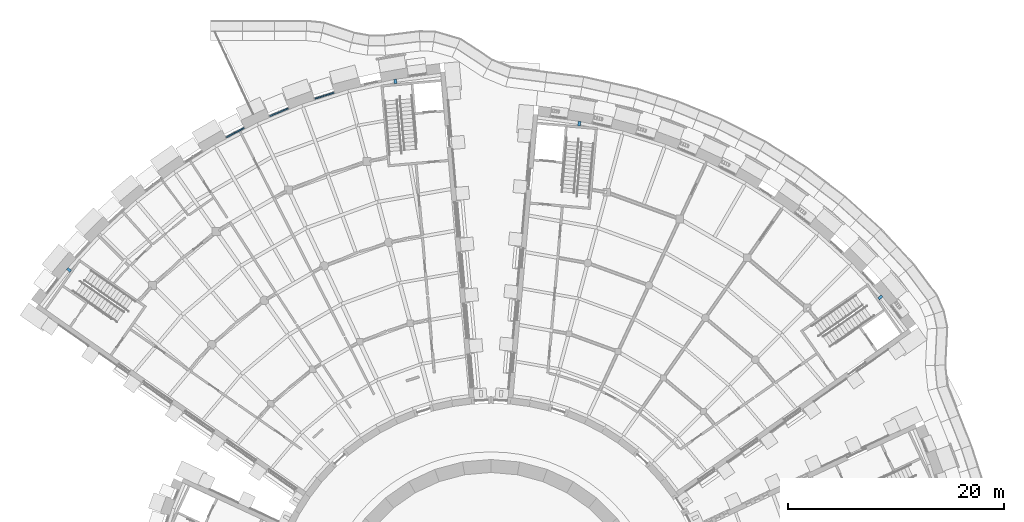
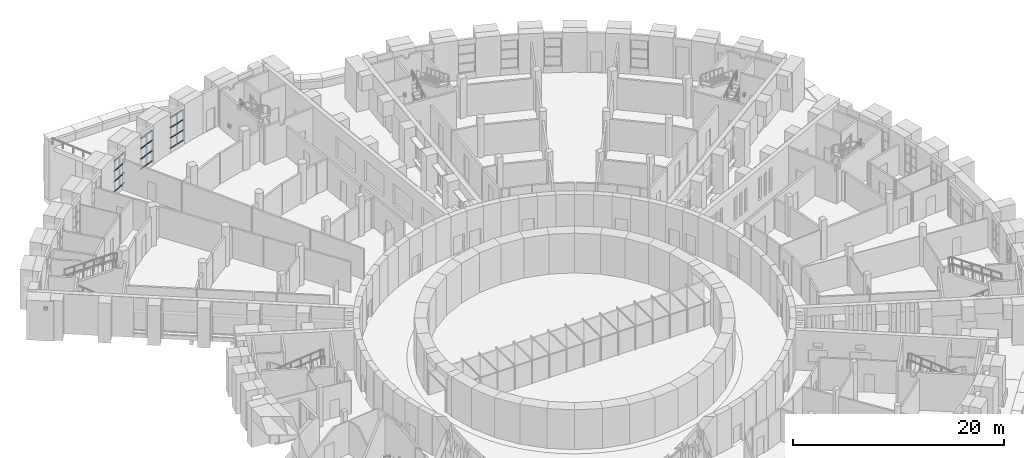
# One storey, part 31 of 85: 24 members, 4 beams, 3 elements without a shape of their own.
"""IFC4 building model written with IfcOpenShell, lengths in metres."""

from ifc_helpers import new_model, si_unit, direction, frame, origin, origin_2d, place, context, subcontext, project, spatial, rectangle, extrude, material, layer, layer_set, material_profile, profile_set, type_object, element, aggregate, save


model = new_model("IFC4")

# Units and contexts
model_context = context("Model", 3, precision=1e-05, world=origin(), true_north=direction((0.0, 1.0)))
body_context = subcontext(model_context, "Body", "Model", "MODEL_VIEW")
ifc_project = project(units=[si_unit("LENGTHUNIT", "METRE"), si_unit("AREAUNIT", "SQUARE_METRE"), si_unit("VOLUMEUNIT", "CUBIC_METRE"), si_unit("PLANEANGLEUNIT", "RADIAN"), si_unit("MASSUNIT", "GRAM", prefix="KILO")], contexts=[model_context])

# Site, building, storey
site_placement = place(None, origin())
site = spatial("IfcSite", under=ifc_project, at=site_placement, CompositionType="ELEMENT")
building_placement = place(site_placement, origin())
building = spatial("IfcBuilding", under=site, at=building_placement, Name="Volute Hill Aquarium", CompositionType="ELEMENT")
storey_placement = place(building_placement, origin())
storey = spatial("IfcBuildingStorey", under=building, at=storey_placement, Name="L01", CompositionType="ELEMENT", Elevation=0.0)

# Curtain wall, members
ifc_material_1 = material(Name="Aluminium", Category="aluminium")
ifc_layer = layer(ifc_material_1, 0.25)
ifc_layer_set = layer_set([ifc_layer], Name="Curtain wall niche S6 module 967")
curtain_wall_type = type_object("IfcCurtainWallType", Name="Curtain wall niche S6 module 967", PredefinedType="NOTDEFINED", material=ifc_layer_set)
curtain_wall_1_placement = place(storey_placement, origin())
curtain_wall_1 = element("IfcCurtainWall", 1, at=curtain_wall_1_placement, inside=storey, type_object=curtain_wall_type, Name="Curtain wall CW S6 L01 3", PredefinedType="NOTDEFINED")
ifc_material_2 = material(Name="Aluminium", Category="aluminium")
ifc_material_profile_1 = material_profile(ifc_material_2, rectangle(XDim=0.1201171875, YDim=0.050048828125, at=origin_2d()), Name="Curtain wall transom S6 50x120")
ifc_profile_set_1 = profile_set([ifc_material_profile_1], Name="Aluminium")
member_type = type_object("IfcMemberType", Name="Curtain wall transom S6 50x120", PredefinedType="USERDEFINED", material=ifc_profile_set_1)
member_1_placement = place(storey_placement, frame((-14.514404296875, 49.0830078125, 0.47509765625), z_axis=(-0.953756274166, -0.30058105311, 0.0), x_axis=(0.30058105311, -0.953756274166, 0.0)))
member_1 = element("IfcMember", 2, at=member_1_placement, type_object=member_type, Name="CW transom 1.1", ObjectType="TRANSOM", PredefinedType="USERDEFINED", context=body_context, shape_type="SweptSolid", body=[
    extrude(rectangle(XDim=0.1201171875, YDim=0.050048828125, at=origin_2d()), origin(), (0.0, 0.0, 1.0), 0.891845703125),
])
member_2_placement = place(storey_placement, frame((-14.514404296875, 49.0830078125, 1.64990234375), z_axis=(-0.953756274166, -0.30058105311, 0.0), x_axis=(0.30058105311, -0.953756274166, 0.0)))
member_2 = element("IfcMember", 3, at=member_2_placement, type_object=member_type, Name="CW transom 1.2", ObjectType="TRANSOM", PredefinedType="USERDEFINED", context=body_context, shape_type="SweptSolid", body=[
    extrude(rectangle(XDim=0.1201171875, YDim=0.050048828125, at=origin_2d()), origin(), (0.0, 0.0, 1.0), 0.891845703125),
])
member_3_placement = place(storey_placement, frame((-14.514404296875, 49.0830078125, 2.85009765625), z_axis=(-0.953756274166, -0.30058105311, 0.0), x_axis=(0.30058105311, -0.953756274166, 0.0)))
member_3 = element("IfcMember", 4, at=member_3_placement, type_object=member_type, Name="CW transom 1.3", ObjectType="TRANSOM", PredefinedType="USERDEFINED", context=body_context, shape_type="SweptSolid", body=[
    extrude(rectangle(XDim=0.1201171875, YDim=0.050048828125, at=origin_2d()), origin(), (0.0, 0.0, 1.0), 0.891845703125),
])
member_4_placement = place(storey_placement, frame((-14.514404296875, 49.0830078125, 4.02490234375), z_axis=(-0.953756274166, -0.30058105311, 0.0), x_axis=(0.30058105311, -0.953756274166, 0.0)))
member_4 = element("IfcMember", 5, at=member_4_placement, type_object=member_type, Name="CW transom 1.4", ObjectType="TRANSOM", PredefinedType="USERDEFINED", context=body_context, shape_type="SweptSolid", body=[
    extrude(rectangle(XDim=0.1201171875, YDim=0.050048828125, at=origin_2d()), origin(), (0.0, 0.0, 1.0), 0.891845703125),
])
member_5_placement = place(storey_placement, frame((-15.412841796875, 48.7998046875, 0.47509765625), z_axis=(-0.953756274166, -0.30058105311, 0.0), x_axis=(0.30058105311, -0.953756274166, 0.0)))
member_5 = element("IfcMember", 6, at=member_5_placement, type_object=member_type, Name="CW transom 2.1", ObjectType="TRANSOM", PredefinedType="USERDEFINED", context=body_context, shape_type="SweptSolid", body=[
    extrude(rectangle(XDim=0.1201171875, YDim=0.050048828125, at=origin_2d()), origin(), (0.0, 0.0, 1.0), 0.891845703125),
])
member_6_placement = place(storey_placement, frame((-15.412841796875, 48.7998046875, 1.64990234375), z_axis=(-0.953756274166, -0.30058105311, 0.0), x_axis=(0.30058105311, -0.953756274166, 0.0)))
member_6 = element("IfcMember", 7, at=member_6_placement, type_object=member_type, Name="CW transom 2.2", ObjectType="TRANSOM", PredefinedType="USERDEFINED", context=body_context, shape_type="SweptSolid", body=[
    extrude(rectangle(XDim=0.1201171875, YDim=0.050048828125, at=origin_2d()), origin(), (0.0, 0.0, 1.0), 0.891845703125),
])
member_7_placement = place(storey_placement, frame((-15.412841796875, 48.7998046875, 2.85009765625), z_axis=(-0.953756274166, -0.30058105311, 0.0), x_axis=(0.30058105311, -0.953756274166, 0.0)))
member_7 = element("IfcMember", 8, at=member_7_placement, type_object=member_type, Name="CW transom 2.3", ObjectType="TRANSOM", PredefinedType="USERDEFINED", context=body_context, shape_type="SweptSolid", body=[
    extrude(rectangle(XDim=0.1201171875, YDim=0.050048828125, at=origin_2d()), origin(), (0.0, 0.0, 1.0), 0.891845703125),
])
member_8_placement = place(storey_placement, frame((-15.412841796875, 48.7998046875, 4.02490234375), z_axis=(-0.953756274166, -0.30058105311, 0.0), x_axis=(0.30058105311, -0.953756274166, 0.0)))
member_8 = element("IfcMember", 9, at=member_8_placement, type_object=member_type, Name="CW transom 2.4", ObjectType="TRANSOM", PredefinedType="USERDEFINED", context=body_context, shape_type="SweptSolid", body=[
    extrude(rectangle(XDim=0.1201171875, YDim=0.050048828125, at=origin_2d()), origin(), (0.0, 0.0, 1.0), 0.891845703125),
])
aggregate(curtain_wall_1, [member_1, member_2, member_3, member_4, member_5, member_6, member_7, member_8])

curtain_wall_2_placement = place(storey_placement, origin())
curtain_wall_2 = element("IfcCurtainWall", 10, at=curtain_wall_2_placement, inside=storey, type_object=curtain_wall_type, Name="Curtain wall CW S6 L01 4", PredefinedType="NOTDEFINED")
member_9_placement = place(storey_placement, frame((-18.737060546875, 47.63134765625, 0.47509765625), z_axis=(-0.923876703835, -0.382690261322, 0.0), x_axis=(0.382690261322, -0.923876703835, 0.0)))
member_9 = element("IfcMember", 11, at=member_9_placement, type_object=member_type, Name="CW transom 1.1", ObjectType="TRANSOM", PredefinedType="USERDEFINED", context=body_context, shape_type="SweptSolid", body=[
    extrude(rectangle(XDim=0.1201171875, YDim=0.050048828125, at=origin_2d()), origin(), (0.0, 0.0, 1.0), 0.891845703125),
])
member_10_placement = place(storey_placement, frame((-18.737060546875, 47.63134765625, 1.64990234375), z_axis=(-0.923876703835, -0.382690261322, 0.0), x_axis=(0.382690261322, -0.923876703835, 0.0)))
member_10 = element("IfcMember", 12, at=member_10_placement, type_object=member_type, Name="CW transom 1.2", ObjectType="TRANSOM", PredefinedType="USERDEFINED", context=body_context, shape_type="SweptSolid", body=[
    extrude(rectangle(XDim=0.1201171875, YDim=0.050048828125, at=origin_2d()), origin(), (0.0, 0.0, 1.0), 0.891845703125),
])
member_11_placement = place(storey_placement, frame((-18.737060546875, 47.63134765625, 2.85009765625), z_axis=(-0.923876703835, -0.382690261322, 0.0), x_axis=(0.382690261322, -0.923876703835, 0.0)))
member_11 = element("IfcMember", 13, at=member_11_placement, type_object=member_type, Name="CW transom 1.3", ObjectType="TRANSOM", PredefinedType="USERDEFINED", context=body_context, shape_type="SweptSolid", body=[
    extrude(rectangle(XDim=0.1201171875, YDim=0.050048828125, at=origin_2d()), origin(), (0.0, 0.0, 1.0), 0.891845703125),
])
member_12_placement = place(storey_placement, frame((-18.737060546875, 47.63134765625, 4.02490234375), z_axis=(-0.923876703835, -0.382690261322, 0.0), x_axis=(0.382690261322, -0.923876703835, 0.0)))
member_12 = element("IfcMember", 14, at=member_12_placement, type_object=member_type, Name="CW transom 1.4", ObjectType="TRANSOM", PredefinedType="USERDEFINED", context=body_context, shape_type="SweptSolid", body=[
    extrude(rectangle(XDim=0.1201171875, YDim=0.050048828125, at=origin_2d()), origin(), (0.0, 0.0, 1.0), 0.891845703125),
])
member_13_placement = place(storey_placement, frame((-19.607177734375, 47.270751953125, 0.47509765625), z_axis=(-0.92391677854, -0.382593500118, 0.0), x_axis=(0.382593500118, -0.92391677854, 0.0)))
member_13 = element("IfcMember", 15, at=member_13_placement, type_object=member_type, Name="CW transom 2.1", ObjectType="TRANSOM", PredefinedType="USERDEFINED", context=body_context, shape_type="SweptSolid", body=[
    extrude(rectangle(XDim=0.1201171875, YDim=0.050048828125, at=origin_2d()), origin(), (0.0, 0.0, 1.0), 0.89208984375),
])
member_14_placement = place(storey_placement, frame((-19.607177734375, 47.270751953125, 1.64990234375), z_axis=(-0.92391677854, -0.382593500118, 0.0), x_axis=(0.382593500118, -0.92391677854, 0.0)))
member_14 = element("IfcMember", 16, at=member_14_placement, type_object=member_type, Name="CW transom 2.2", ObjectType="TRANSOM", PredefinedType="USERDEFINED", context=body_context, shape_type="SweptSolid", body=[
    extrude(rectangle(XDim=0.1201171875, YDim=0.050048828125, at=origin_2d()), origin(), (0.0, 0.0, 1.0), 0.89208984375),
])
member_15_placement = place(storey_placement, frame((-19.607177734375, 47.270751953125, 2.85009765625), z_axis=(-0.92391677854, -0.382593500118, 0.0), x_axis=(0.382593500118, -0.92391677854, 0.0)))
member_15 = element("IfcMember", 17, at=member_15_placement, type_object=member_type, Name="CW transom 2.3", ObjectType="TRANSOM", PredefinedType="USERDEFINED", context=body_context, shape_type="SweptSolid", body=[
    extrude(rectangle(XDim=0.1201171875, YDim=0.050048828125, at=origin_2d()), origin(), (0.0, 0.0, 1.0), 0.89208984375),
])
member_16_placement = place(storey_placement, frame((-19.607177734375, 47.270751953125, 4.02490234375), z_axis=(-0.92391677854, -0.382593500118, 0.0), x_axis=(0.382593500118, -0.92391677854, 0.0)))
member_16 = element("IfcMember", 18, at=member_16_placement, type_object=member_type, Name="CW transom 2.4", ObjectType="TRANSOM", PredefinedType="USERDEFINED", context=body_context, shape_type="SweptSolid", body=[
    extrude(rectangle(XDim=0.1201171875, YDim=0.050048828125, at=origin_2d()), origin(), (0.0, 0.0, 1.0), 0.89208984375),
])
aggregate(curtain_wall_2, [member_9, member_10, member_11, member_12, member_13, member_14, member_15, member_16])

curtain_wall_3_placement = place(storey_placement, origin())
curtain_wall_3 = element("IfcCurtainWall", 19, at=curtain_wall_3_placement, inside=storey, type_object=curtain_wall_type, Name="Curtain wall CW S6 L01 5", PredefinedType="NOTDEFINED")
member_17_placement = place(storey_placement, frame((-22.817138671875, 45.81689453125, 0.47509765625), z_axis=(-0.887082281901, -0.461611335582, 0.0), x_axis=(0.461611335582, -0.887082281901, 0.0)))
member_17 = element("IfcMember", 20, at=member_17_placement, type_object=member_type, Name="CW transom 1.1", ObjectType="TRANSOM", PredefinedType="USERDEFINED", context=body_context, shape_type="SweptSolid", body=[
    extrude(rectangle(XDim=0.1201171875, YDim=0.050048828125, at=origin_2d()), origin(), (0.0, 0.0, 1.0), 0.8916015625),
])
member_18_placement = place(storey_placement, frame((-22.817138671875, 45.81689453125, 1.64990234375), z_axis=(-0.887082281901, -0.461611335582, 0.0), x_axis=(0.461611335582, -0.887082281901, 0.0)))
member_18 = element("IfcMember", 21, at=member_18_placement, type_object=member_type, Name="CW transom 1.2", ObjectType="TRANSOM", PredefinedType="USERDEFINED", context=body_context, shape_type="SweptSolid", body=[
    extrude(rectangle(XDim=0.1201171875, YDim=0.050048828125, at=origin_2d()), origin(), (0.0, 0.0, 1.0), 0.8916015625),
])
member_19_placement = place(storey_placement, frame((-22.817138671875, 45.81689453125, 2.85009765625), z_axis=(-0.887082281901, -0.461611335582, 0.0), x_axis=(0.461611335582, -0.887082281901, 0.0)))
member_19 = element("IfcMember", 22, at=member_19_placement, type_object=member_type, Name="CW transom 1.3", ObjectType="TRANSOM", PredefinedType="USERDEFINED", context=body_context, shape_type="SweptSolid", body=[
    extrude(rectangle(XDim=0.1201171875, YDim=0.050048828125, at=origin_2d()), origin(), (0.0, 0.0, 1.0), 0.8916015625),
])
member_20_placement = place(storey_placement, frame((-22.817138671875, 45.81689453125, 4.02490234375), z_axis=(-0.887082281901, -0.461611335582, 0.0), x_axis=(0.461611335582, -0.887082281901, 0.0)))
member_20 = element("IfcMember", 23, at=member_20_placement, type_object=member_type, Name="CW transom 1.4", ObjectType="TRANSOM", PredefinedType="USERDEFINED", context=body_context, shape_type="SweptSolid", body=[
    extrude(rectangle(XDim=0.1201171875, YDim=0.050048828125, at=origin_2d()), origin(), (0.0, 0.0, 1.0), 0.8916015625),
])
member_21_placement = place(storey_placement, frame((-23.652587890625, 45.382080078125, 0.47509765625), z_axis=(-0.886970156065, -0.46182674484, 0.0), x_axis=(0.46182674484, -0.886970156065, 0.0)))
member_21 = element("IfcMember", 24, at=member_21_placement, type_object=member_type, Name="CW transom 2.1", ObjectType="TRANSOM", PredefinedType="USERDEFINED", context=body_context, shape_type="SweptSolid", body=[
    extrude(rectangle(XDim=0.1201171875, YDim=0.050048828125, at=origin_2d()), origin(), (0.0, 0.0, 1.0), 0.891845703125),
])
member_22_placement = place(storey_placement, frame((-23.652587890625, 45.382080078125, 1.64990234375), z_axis=(-0.886970156065, -0.46182674484, 0.0), x_axis=(0.46182674484, -0.886970156065, 0.0)))
member_22 = element("IfcMember", 25, at=member_22_placement, type_object=member_type, Name="CW transom 2.2", ObjectType="TRANSOM", PredefinedType="USERDEFINED", context=body_context, shape_type="SweptSolid", body=[
    extrude(rectangle(XDim=0.1201171875, YDim=0.050048828125, at=origin_2d()), origin(), (0.0, 0.0, 1.0), 0.891845703125),
])
member_23_placement = place(storey_placement, frame((-23.652587890625, 45.382080078125, 2.85009765625), z_axis=(-0.886970156065, -0.46182674484, 0.0), x_axis=(0.46182674484, -0.886970156065, 0.0)))
member_23 = element("IfcMember", 26, at=member_23_placement, type_object=member_type, Name="CW transom 2.3", ObjectType="TRANSOM", PredefinedType="USERDEFINED", context=body_context, shape_type="SweptSolid", body=[
    extrude(rectangle(XDim=0.1201171875, YDim=0.050048828125, at=origin_2d()), origin(), (0.0, 0.0, 1.0), 0.891845703125),
])
member_24_placement = place(storey_placement, frame((-23.652587890625, 45.382080078125, 4.02490234375), z_axis=(-0.886970156065, -0.46182674484, 0.0), x_axis=(0.46182674484, -0.886970156065, 0.0)))
member_24 = element("IfcMember", 27, at=member_24_placement, type_object=member_type, Name="CW transom 2.4", ObjectType="TRANSOM", PredefinedType="USERDEFINED", context=body_context, shape_type="SweptSolid", body=[
    extrude(rectangle(XDim=0.1201171875, YDim=0.050048828125, at=origin_2d()), origin(), (0.0, 0.0, 1.0), 0.891845703125),
])
aggregate(curtain_wall_3, [member_17, member_18, member_19, member_20, member_21, member_22, member_23, member_24])

# Beams
ifc_material_3 = material(Name="Concrete C35/45", Category="concrete")
ifc_material_profile_2 = material_profile(ifc_material_3, rectangle(XDim=0.25, YDim=0.35009765625, at=origin_2d()), Name="RC joist 250x350")
ifc_profile_set_2 = profile_set([ifc_material_profile_2], Name="Concrete C35/45")
beam_type = type_object("IfcBeamType", Name="Joist 250x350 C35/45", PredefinedType="BEAM", material=ifc_profile_set_2)
for number, where, z_axis, x_axis, name in (
    (28, (35.795654296875, 30.035888671875, -0.465087890625), (0.765750437308, 0.643137829522, 0.0), (-0.643137829522, 0.765750437308, 0.0), "bm/S5/L01/rjst1"),
    (29, (8.1142578125, 46.017822265625, -0.465087890625), (0.173488416305, 0.98483590989, 0.0), (-0.98483590989, 0.173488416305, 0.0), "bm/S5/L01/rjst5"),
):
    element("IfcBeam", number, at=place(storey_placement, frame(where, z_axis=z_axis, x_axis=x_axis)), inside=storey, type_object=beam_type, Name=name, PredefinedType="BEAM", context=body_context, shape_type="SweptSolid", body=[
        extrude(rectangle(XDim=0.25, YDim=0.35009765625, at=origin_2d()), origin(), (0.0, 0.0, 1.0), 0.422119140625),
    ])
for number, where, z_axis, x_axis, name in (
    (30, (-8.802734375, 49.922607421875, -0.4951171875), (-0.173238167198, 0.984879960922, 0.0), (-0.984879960922, -0.173238167198, 0.0), "bm/S6/L01/rjst6"),
    (31, (-38.8330078125, 32.584716796875, -0.4951171875), (-0.766153455411, 0.642657671519, 0.0), (-0.642657671519, -0.766153455411, 0.0), "bm/S6/L01/rjst10"),
):
    element("IfcBeam", number, at=place(storey_placement, frame(where, z_axis=z_axis, x_axis=x_axis)), inside=storey, type_object=beam_type, Name=name, PredefinedType="BEAM", context=body_context, shape_type="SweptSolid", body=[
        extrude(rectangle(XDim=0.25, YDim=0.35009765625, at=origin_2d()), origin(), (0.0, 0.0, 1.0), 0.4072265625),
    ])

save(model, "model.ifc")
